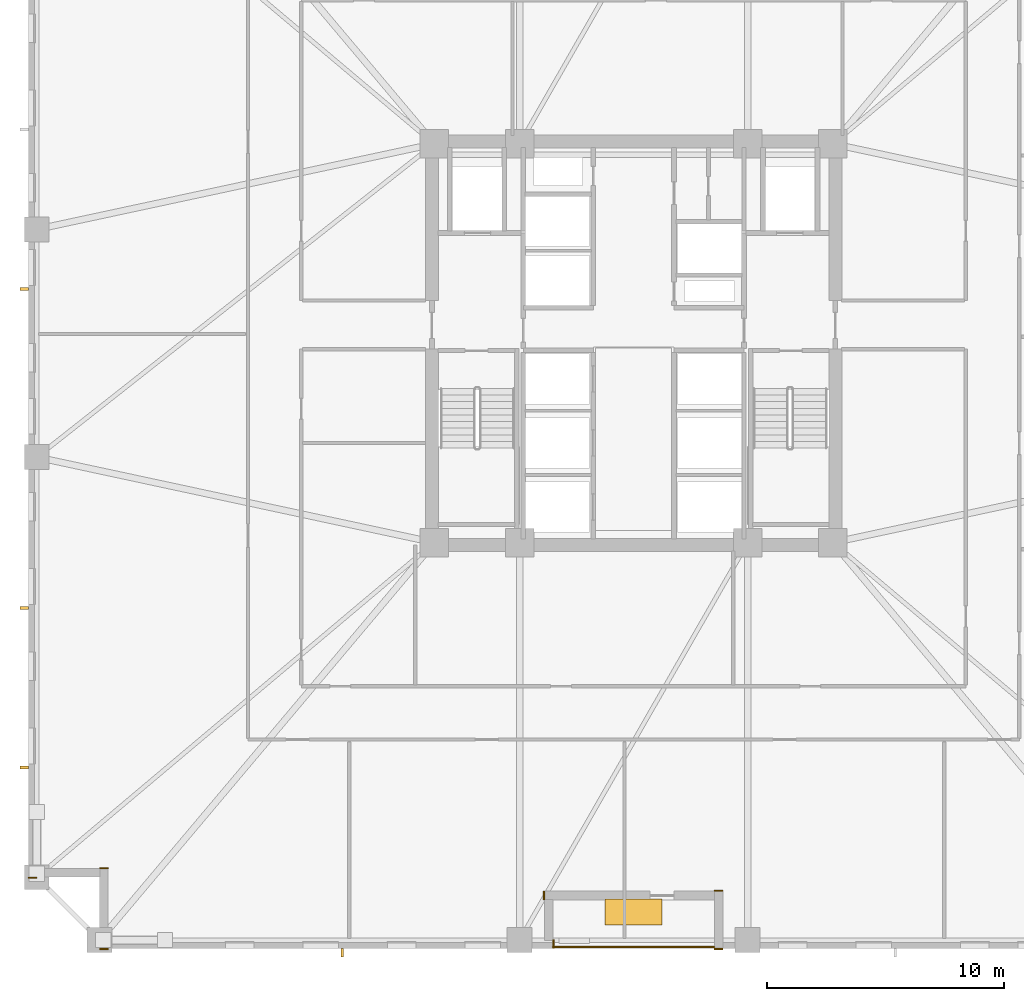
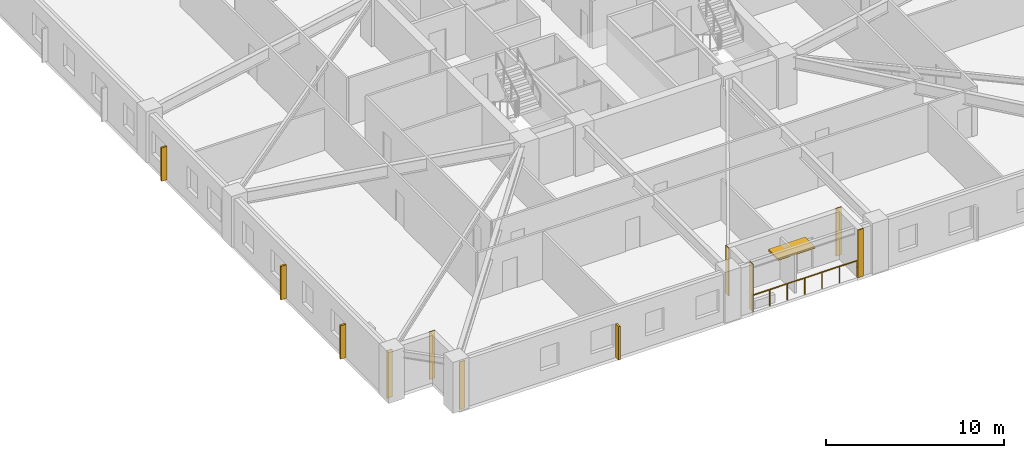
# One storey, part 7 of 11: 7 coverings, 5 shading devices, 1 railing.
"""IFC4 building model written with IfcOpenShell, lengths in metres."""

from ifc_helpers import new_model, si_unit, direction, frame, frame_2d, origin, origin_2d, place, context, subcontext, project, spatial, rectangle, circle, extrude, material, layer, layer_set, type_object, element, save


model = new_model("IFC4")

# Units and contexts
model_context = context("Model", 3, precision=1e-05, world=origin(), true_north=direction((0.0, 1.0)))
body_context = subcontext(model_context, "Body", "Model", "MODEL_VIEW")
ifc_project = project(units=[si_unit("LENGTHUNIT", "METRE"), si_unit("AREAUNIT", "SQUARE_METRE"), si_unit("VOLUMEUNIT", "CUBIC_METRE"), si_unit("PLANEANGLEUNIT", "RADIAN"), si_unit("MASSUNIT", "GRAM", prefix="KILO")], contexts=[model_context])

# Site, building, storey
site_placement = place(None, origin())
site = spatial("IfcSite", under=ifc_project, at=site_placement, CompositionType="ELEMENT")
building_placement = place(site_placement, origin())
building = spatial("IfcBuilding", under=site, at=building_placement, Name="Cairnveth Concourse Tower", CompositionType="ELEMENT")
storey_placement = place(building_placement, frame((0.0, 0.0, 37.5)))
storey = spatial("IfcBuildingStorey", under=building, at=storey_placement, Name="L09", CompositionType="ELEMENT", Elevation=37.5)

# Coverings
ifc_material_1 = material(Name="Dressed Melbourne Bluestone Cladding", Category="masonry")
ifc_layer = layer(ifc_material_1, 0.050048828125)
ifc_layer_set = layer_set([ifc_layer], Name="Dressed Melbourne Bluestone Cladding")
covering_type = type_object("IfcCoveringType", Name="DRESSED BLUESTONE PLINTH CLADDING 50", PredefinedType="CLADDING", material=ifc_layer_set)
for number, where, z_axis, x_axis, name in (
    (1, (48.6201171875, 13.860107421875, 0.0), (0.0, 0.0, 1.0), (0.0, -1.0, 0.0), "Melbourne Bluestone Corner Quoin L09-87"),
    (2, (29.860107421875, 13.47998046875, 0.0), (0.0, 0.0, 1.0), (-1.0, 0.0, 0.0), "Melbourne Bluestone Corner Quoin L09-88"),
    (3, (29.860107421875, 16.8798828125, 0.0), (0.0, 0.0, 1.0), (-1.0, 0.0, 0.0), "Melbourne Bluestone Corner Quoin L09-89"),
    (4, (26.860107421875, 16.47998046875, 0.0), (0.0, 0.0, 1.0), (-1.0, 0.0, 0.0), "Melbourne Bluestone Corner Quoin L09-90"),
    (5, (55.760009765625, 13.47998046875, 0.0), (0.0, 0.0, 1.0), (-1.0, 0.0, 0.0), "Melbourne Bluestone Corner Quoin L09-100"),
    (6, (55.760009765625, 15.929931640625, 0.0), (0.0, 0.0, 1.0), (-1.0, 0.0, 0.0), "Melbourne Bluestone Corner Quoin L09-101"),
):
    element("IfcCovering", number, at=place(storey_placement, frame(where, z_axis=z_axis, x_axis=x_axis)), inside=storey, type_object=covering_type, Name=name, PredefinedType="CLADDING", context=body_context, shape_type="SweptSolid", body=[
        extrude(rectangle(XDim=0.360107421875, YDim=0.050048828125, at=frame_2d((0.18017578125, 0.0))), origin(), (0.0, 0.0, 1.0), 3.280029296875),
    ])
covering_placement = place(storey_placement, frame((48.219970703125, 15.909912109375, 0.0), z_axis=(0.0, 0.0, 1.0), x_axis=(0.0, -1.0, 0.0)))
element("IfcCovering", 7, at=covering_placement, inside=storey, type_object=covering_type, Name="Melbourne Bluestone Corner Quoin L09-102", PredefinedType="CLADDING", context=body_context, shape_type="SweptSolid", body=[
    extrude(rectangle(XDim=0.35986328125, YDim=0.050048828125, at=frame_2d((0.179931640625, 0.0))), origin(), (0.0, 0.0, 1.0), 3.280029296875),
])

# Shading devices
ifc_material_2 = material(Name="Architectural Bronze Anodised Aluminium 6063-T6", Category="aluminium")
shading_device_type_1 = type_object("IfcShadingDeviceType", Name="GOTHIC BRONZE VERTICAL LANCET FIN", PredefinedType="USERDEFINED", material=ifc_material_2)
for number, where, z_axis, x_axis, name in (
    (8, (39.72119140625, 13.324951171875, 0.02978515625), (0.0, 0.0, 1.0), (1.0, 0.0, 0.0), "Gothic Bronze Vertical Fin L09-0-3"),
    (9, (26.324951171875, 21.1201171875, 0.02978515625), (0.0, 0.0, 1.0), (0.0, 1.0, 0.0), "Gothic Bronze Vertical Fin L09-3-1"),
    (10, (26.324951171875, 27.840576171875, 0.02978515625), (0.0, 0.0, 1.0), (0.0, 1.0, 0.0), "Gothic Bronze Vertical Fin L09-3-3"),
    (11, (26.324951171875, 41.28125, 0.02978515625), (0.0, 0.0, 1.0), (0.0, 1.0, 0.0), "Gothic Bronze Vertical Fin L09-3-7"),
):
    element("IfcShadingDevice", number, at=place(storey_placement, frame(where, z_axis=z_axis, x_axis=x_axis)), inside=storey, type_object=shading_device_type_1, Name=name, ObjectType="VERTICAL FIN", PredefinedType="USERDEFINED", context=body_context, shape_type="SweptSolid", body=[
        extrude(rectangle(XDim=0.1201171875, YDim=0.360107421875, at=origin_2d()), origin(), (0.0, 0.0, 1.0), 2.303955078125),
    ])
shading_device_type_2 = type_object("IfcShadingDeviceType", Name="SPIRAL TERRACE SUNSHADE CANOPY", PredefinedType="USERDEFINED", material=ifc_material_2)
shading_device_placement = place(storey_placement, frame((52.0, 15.030029296875, 2.183837890625), z_axis=(0.0, 0.0, 1.0), x_axis=(1.0, 0.0, 0.0)))
element("IfcShadingDevice", 12, at=shading_device_placement, inside=storey, type_object=shading_device_type_2, Name="Spiral Terrace Sunshade L09", ObjectType="TERRACE SUNSHADE", PredefinedType="USERDEFINED", context=body_context, shape_type="SweptSolid", body=[
    extrude(rectangle(XDim=2.39990234375, YDim=1.10009765625, at=origin_2d()), origin(), (0.0, 0.0, 1.0), 0.1201171875),
])

# Railing
railing_type = type_object("IfcRailingType", Name="TERRACE BRONZE BALUSTRADE 1150", PredefinedType="BALUSTRADE", material=ifc_material_2)
railing_placement = place(storey_placement, frame((48.60009765625, 13.56005859375, 0.0)))
element("IfcRailing", 13, at=railing_placement, inside=storey, type_object=railing_type, Name="Terrace Balustrade RL-L09-TERR", PredefinedType="BALUSTRADE", context=body_context, shape_type="SweptSolid", body=[
    extrude(circle(Radius=0.02490234375, at=origin_2d()), frame((0.0, 0.0, 1.125), z_axis=(1.0, 0.0, 0.0), x_axis=(0.0, 1.0, 0.0)), (0.0, 0.0, 1.0), 6.7998046875),
    extrude(circle(Radius=0.02099609375, at=origin_2d()), origin(), (0.0, 0.0, 1.0), 1.099853515625),
    extrude(circle(Radius=0.02099609375, at=origin_2d()), frame((1.13330078125, 0.0, 0.0)), (0.0, 0.0, 1.0), 1.099853515625),
    extrude(circle(Radius=0.02099609375, at=origin_2d()), frame((2.2666015625, 0.0, 0.0)), (0.0, 0.0, 1.0), 1.099853515625),
    extrude(circle(Radius=0.02099609375, at=origin_2d()), frame((3.39990234375, 0.0, 0.0)), (0.0, 0.0, 1.0), 1.099853515625),
    extrude(circle(Radius=0.02099609375, at=origin_2d()), frame((4.533203125, 0.0, 0.0)), (0.0, 0.0, 1.0), 1.099853515625),
    extrude(circle(Radius=0.02099609375, at=origin_2d()), frame((5.66650390625, 0.0, 0.0)), (0.0, 0.0, 1.0), 1.099853515625),
    extrude(circle(Radius=0.02099609375, at=origin_2d()), frame((6.7998046875, 0.0, 0.0)), (0.0, 0.0, 1.0), 1.099853515625),
])

save(model, "model.ifc")
